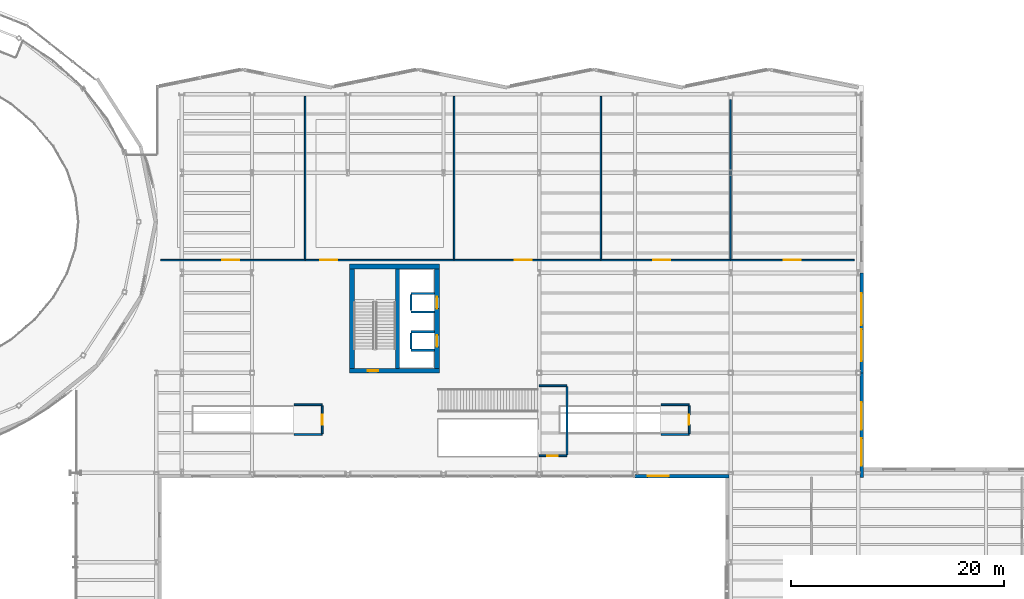
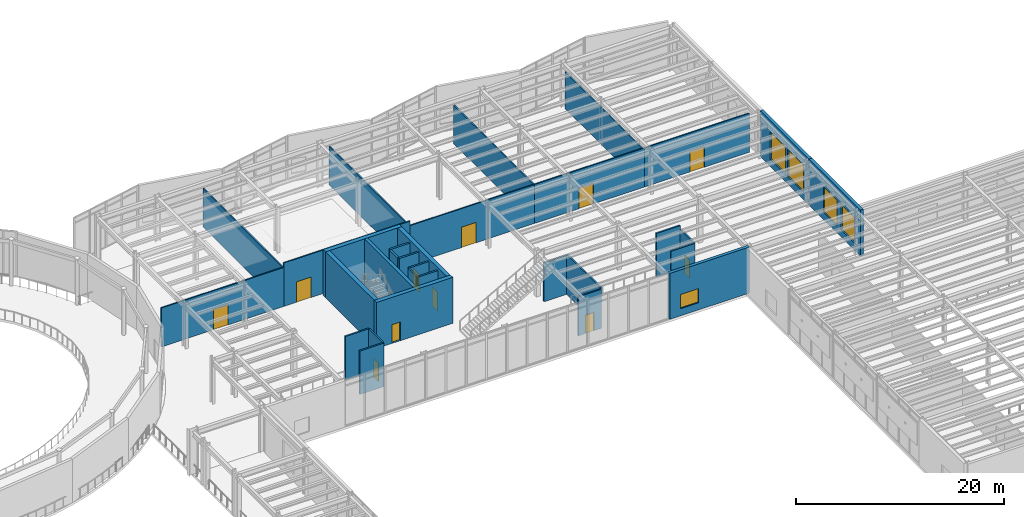
# One storey, part 79 of 98: 32 walls, 11 doors, 5 windows, 16 openings.
"""IFC4 building model written with IfcOpenShell, lengths in metres."""

import ifcopenshell
import ifcopenshell.guid

model = None  # the IFC model being written
_history = None  # IfcOwnerHistory: only IFC2X3 demands one
_inside = {}  # id of a spatial element -> (the spatial element, [elements in it])
_under = {}  # id of a project, library or spatial element -> (it, [spatial elements below it])
_declared = {}  # id of a project -> (the project, [libraries it declares])
_typed = {}  # id of a type object -> (the type object, [elements of that type])
_made_of = {}  # id of a material, layer set ... -> (it, [elements and type objects made of it])


def new_model(schema):
    """Start an empty IFC model of exactly this schema.

    Asked for "IFC4X3", IfcOpenShell would pick the latest addendum, in which some entities
    have other attributes; the version numbers below select the first issue.
    IFC2X3 requires an IfcOwnerHistory on every rooted entity: one is made here for all.
    """
    global model, _history
    if schema == "IFC4X3":
        model = ifcopenshell.file(schema_version=(4, 3, 0, 0))
    else:
        model = ifcopenshell.file(schema=schema)
    _inside.clear()
    _under.clear()
    _declared.clear()
    _typed.clear()
    _made_of.clear()
    _history = None
    if model.schema == "IFC2X3":
        org = make("IfcOrganization", Name="unknown")
        user = make(
            "IfcPersonAndOrganization",
            ThePerson=make("IfcPerson", FamilyName="unknown"),
            TheOrganization=org,
        )
        app = make(
            "IfcApplication",
            ApplicationDeveloper=org,
            Version="unknown",
            ApplicationFullName="unknown",
            ApplicationIdentifier="unknown",
        )
        _history = make(
            "IfcOwnerHistory",
            OwningUser=user,
            OwningApplication=app,
            ChangeAction="ADDED",
            CreationDate=0,
        )
    return model


def make(cls, **values):
    """One entity of the class cls with the attributes given. An attribute that is None is left unset."""
    return model.create_entity(
        cls, **{name: value for name, value in values.items() if value is not None}
    )


def rooted(cls, **values):
    """An entity with a GlobalId (a new one), such as an element, a storey or a relation."""
    return make(cls, GlobalId=ifcopenshell.guid.new(), OwnerHistory=_history, **values)


def si_unit(unit_type, name, prefix=None):
    """IfcSIUnit, for example si_unit("LENGTHUNIT", "METRE", prefix="MILLI")."""
    return make("IfcSIUnit", UnitType=unit_type, Prefix=prefix, Name=name)


def assignment(units):
    """IfcUnitAssignment: the units of a project."""
    return None if units is None else make("IfcUnitAssignment", Units=units)


def point(xyz):
    """IfcCartesianPoint."""
    return None if xyz is None else make("IfcCartesianPoint", Coordinates=xyz)


def direction(xyz):
    """IfcDirection."""
    return None if xyz is None else make("IfcDirection", DirectionRatios=xyz)


def frame(location, z_axis=None, x_axis=None):
    """IfcAxis2Placement3D, a coordinate frame: its origin and axes. An axis left out is left unset."""
    return make(
        "IfcAxis2Placement3D",
        Location=point(location),
        Axis=direction(z_axis),
        RefDirection=direction(x_axis),
    )


def frame_2d(location, x_axis=None):
    """IfcAxis2Placement2D, a coordinate frame in the plane: its origin and x axis."""
    return make(
        "IfcAxis2Placement2D", Location=point(location), RefDirection=direction(x_axis)
    )


def origin():
    """The frame at (0, 0, 0) with its axes left unset."""
    return frame((0.0, 0.0, 0.0))


def place(relative_to, where):
    """IfcLocalPlacement: puts the frame where relative to a parent placement (None: the world)."""
    return make(
        "IfcLocalPlacement", PlacementRelTo=relative_to, RelativePlacement=where
    )


def context(
    kind, dimensions, precision=None, world=None, true_north=None, identifier=None
):
    """IfcGeometricRepresentationContext, for example the 3D "Model" context."""
    return make(
        "IfcGeometricRepresentationContext",
        ContextIdentifier=identifier,
        ContextType=kind,
        CoordinateSpaceDimension=dimensions,
        Precision=precision,
        WorldCoordinateSystem=world,
        TrueNorth=true_north,
    )


def subcontext(parent, identifier, kind, view, scale=None):
    """IfcGeometricRepresentationSubContext, for example "Body" below "Model"."""
    return make(
        "IfcGeometricRepresentationSubContext",
        ContextIdentifier=identifier,
        ContextType=kind,
        ParentContext=parent,
        TargetScale=scale,
        TargetView=view,
    )


def project(units=None, contexts=None):
    """IfcProject with its units and contexts."""
    return rooted(
        "IfcProject",
        Name="project",
        RepresentationContexts=contexts,
        UnitsInContext=assignment(units),
    )


def spatial(cls, under=None, at=None, **own):
    """A site, building, storey or space (cls), placed at a placement, below another one or the project."""
    s = rooted(cls, ObjectPlacement=at, **own)
    if under is not None:
        _under.setdefault(under.id(), (under, []))[1].append(s)
    return s


def profile(cls, at=None, kind="AREA", **sizes):
    """A parametric profile (cls). Its sizes go by their IFC names, for example OverallWidth=200.0."""
    return make(cls, ProfileType=kind, Position=at, **sizes)


def rectangle(**sizes):
    """IfcRectangleProfileDef."""
    return profile("IfcRectangleProfileDef", **sizes)


def extrude(swept, where, along, depth):
    """IfcExtrudedAreaSolid: the profile swept, set in the frame where, extruded along a direction by depth."""
    return make(
        "IfcExtrudedAreaSolid",
        SweptArea=swept,
        Position=where,
        ExtrudedDirection=direction(along),
        Depth=depth,
    )


def shape(context_of_items, identifier, shape_type, items):
    """IfcShapeRepresentation: the items that make up one representation, for example the "Body"."""
    return make(
        "IfcShapeRepresentation",
        ContextOfItems=context_of_items,
        RepresentationIdentifier=identifier,
        RepresentationType=shape_type,
        Items=items,
    )


def material(Name=None, Category=None):
    """IfcMaterial."""
    return make("IfcMaterial", Name=Name, Category=Category)


def layer(
    of_material, thickness, ventilated=None, Name=None, Category=None, Priority=None
):
    """IfcMaterialLayer: one layer of a wall or slab, of a material (None: an air gap)."""
    return make(
        "IfcMaterialLayer",
        Material=of_material,
        LayerThickness=thickness,
        IsVentilated=ventilated,
        Name=Name,
        Category=Category,
        Priority=Priority,
    )


def layer_set(layers, Name=None):
    """IfcMaterialLayerSet."""
    return make("IfcMaterialLayerSet", MaterialLayers=layers, LayerSetName=Name)


def made_of(thing, what):
    """Note that an element or type object is made of a material, layer set ...; save() writes the relation."""
    if what is not None:
        _made_of.setdefault(what.id(), (what, []))[1].append(thing)
    return thing


def type_object(cls, material=None, **own):
    """A type object (cls), such as IfcWallType, which elements share."""
    return made_of(rooted(cls, **own), material)


def element(
    cls,
    number,
    at=None,
    inside=None,
    cuts=None,
    type_object=None,
    material=None,
    context=None,
    identifier="Body",
    shape_type=None,
    held_by="IfcProductDefinitionShape",
    body=None,
    shapes=None,
    **own,
):
    """One element of the class cls, such as IfcWall. Its Tag is "e" and its number.

    at: its placement. inside: the storey or other place that contains it. cuts: it is an
    opening in that element (IfcRelVoidsElement). A single representation is given by context,
    identifier, shape_type and body (its items); several are given by shapes. held_by: the class
    of the entity that holds the representations. save() writes the other relations.
    """
    e = rooted(cls, Tag="e%d" % number, ObjectPlacement=at, **own)
    if body is not None:
        shapes = [shape(context, identifier, shape_type, body)]
    if shapes is not None:
        e.Representation = make(held_by, Representations=shapes)
    if inside is not None:
        _inside.setdefault(inside.id(), (inside, []))[1].append(e)
    if cuts is not None:
        rooted(
            "IfcRelVoidsElement", RelatingBuildingElement=cuts, RelatedOpeningElement=e
        )
    if type_object is not None:
        _typed.setdefault(type_object.id(), (type_object, []))[1].append(e)
    return made_of(e, material)


def fill(opening, filler):
    """IfcRelFillsElement: the door or window that sits in an opening."""
    return rooted(
        "IfcRelFillsElement",
        RelatingOpeningElement=opening,
        RelatedBuildingElement=filler,
    )


def aggregate(whole, parts):
    """IfcRelAggregates: a whole, such as a stair, and the parts it consists of."""
    return rooted("IfcRelAggregates", RelatingObject=whole, RelatedObjects=parts)


def save(model, path):
    """Write the relations noted so far, then the file.

    IfcRelAggregates (storeys below a building ...), IfcRelContainedInSpatialStructure (elements
    in a storey), IfcRelDefinesByType, IfcRelAssociatesMaterial and IfcRelDeclares: one each for
    every whole, place, type object, material and project.
    """
    for whole, parts in _under.values():
        aggregate(whole, parts)
    for where, things in _inside.values():
        rooted(
            "IfcRelContainedInSpatialStructure",
            RelatedElements=things,
            RelatingStructure=where,
        )
    for kind, things in _typed.values():
        rooted("IfcRelDefinesByType", RelatedObjects=things, RelatingType=kind)
    for what, things in _made_of.values():
        rooted("IfcRelAssociatesMaterial", RelatedObjects=things, RelatingMaterial=what)
    for by, libraries in _declared.values():
        rooted("IfcRelDeclares", RelatingContext=by, RelatedDefinitions=libraries)
    model.write(path)


model = new_model("IFC4")

# Units and contexts
model_context = context("Model", 3, precision=1e-05, world=origin(), true_north=direction((0.0, 1.0)))
body_context = subcontext(model_context, "Body", "Model", "MODEL_VIEW")
ifc_project = project(units=[si_unit("LENGTHUNIT", "METRE"), si_unit("AREAUNIT", "SQUARE_METRE"), si_unit("VOLUMEUNIT", "CUBIC_METRE"), si_unit("PLANEANGLEUNIT", "RADIAN"), si_unit("MASSUNIT", "GRAM", prefix="KILO")], contexts=[model_context])

# Site, building, storey
site_placement = place(None, origin())
site = spatial("IfcSite", under=ifc_project, at=site_placement, CompositionType="ELEMENT")
building_placement = place(site_placement, origin())
building = spatial("IfcBuilding", under=site, at=building_placement, Name="Sollismere Congress Hotel", CompositionType="ELEMENT")
storey_placement = place(building_placement, frame((0.0, 0.0, 5.39990234375)))
storey = spatial("IfcBuildingStorey", under=building, at=storey_placement, Name="L01", CompositionType="ELEMENT", Elevation=5.39990234375)

# Wall, openings, windows
ifc_material_1 = material(Name="Colorado Buff Sandstone and Limestone Backup C40/50", Category="masonry")
ifc_layer_1 = layer(ifc_material_1, 0.340087890625, Name="Colorado Buff Sandstone and Limestone Backup C40/50")
ifc_layer_set_1 = layer_set([ifc_layer_1], Name="Colorado Buff Sandstone and Limestone Backup C40/50")
wall_type_1 = type_object("IfcWallType", Name="WL-EXT340", PredefinedType="STANDARD", material=ifc_layer_set_1)
wall_1_placement = place(storey_placement, frame((124.31005859375, 66.35009765625, 0.0), z_axis=(0.0, 0.0, 1.0), x_axis=(0.0, 1.0, 0.0)))
wall_1 = element("IfcWall", 1, at=wall_1_placement, inside=storey, type_object=wall_type_1, Name="Exterior wall EW-L01-035", PredefinedType="STANDARD", context=body_context, shape_type="SweptSolid", body=[
    extrude(rectangle(XDim=9.849853515625, YDim=0.340087890625, at=frame_2d((4.9248046875, 0.0))), origin(), (0.0, 0.0, 1.0), 5.400146484375),
])
opening_1_placement = place(wall_1_placement, frame((1.10009765625, 0.0, 0.85009765625)))
opening_1 = element("IfcOpeningElement", 2, at=opening_1_placement, cuts=wall_1, Name="Opening W-L01-021", PredefinedType="OPENING", context=body_context, shape_type="SweptSolid", body=[
    extrude(rectangle(XDim=2.60009765625, YDim=3.0, at=frame_2d((1.300048828125, 1.5))), frame((0.0, 0.179931640625, 0.0), z_axis=(0.0, -1.0, 0.0), x_axis=(1.0, 0.0, 0.0)), (0.0, 0.0, 1.0), 0.360107421875),
])
opening_2_placement = place(wall_1_placement, frame((4.5, 0.0, 0.85009765625)))
opening_2 = element("IfcOpeningElement", 3, at=opening_2_placement, cuts=wall_1, Name="Opening W-L01-022", PredefinedType="OPENING", context=body_context, shape_type="SweptSolid", body=[
    extrude(rectangle(XDim=2.60009765625, YDim=3.0, at=frame_2d((1.300048828125, 1.5))), frame((0.0, 0.179931640625, 0.0), z_axis=(0.0, -1.0, 0.0), x_axis=(1.0, 0.0, 0.0)), (0.0, 0.0, 1.0), 0.360107421875),
])
ifc_material_2 = material(Name="Thermally Broken Bronze Aluminum & Low-E Glass", Category="aluminium")
window_type_1 = type_object("IfcWindowType", Name="WN-A260x300", PartitioningType="SINGLE_PANEL", PredefinedType="WINDOW", material=ifc_material_2)
window_1_placement = place(opening_1_placement, origin())
window_1 = element("IfcWindow", 4, at=window_1_placement, inside=storey, type_object=window_type_1, Name="WIN-W-L01-021", OverallHeight=3.0, OverallWidth=2.60009765625, PartitioningType="SINGLE_PANEL", PredefinedType="WINDOW", context=body_context, shape_type="SweptSolid", body=[
    extrude(rectangle(XDim=2.60009765625, YDim=3.0, at=frame_2d((1.300048828125, 1.5))), frame((0.0, 0.030029296875, 0.0), z_axis=(0.0, -1.0, 0.0), x_axis=(1.0, 0.0, 0.0)), (0.0, 0.0, 1.0), 0.06005859375),
])
fill(opening_1, window_1)
window_2_placement = place(opening_2_placement, origin())
window_2 = element("IfcWindow", 5, at=window_2_placement, inside=storey, type_object=window_type_1, Name="WIN-W-L01-022", OverallHeight=3.0, OverallWidth=2.60009765625, PartitioningType="SINGLE_PANEL", PredefinedType="WINDOW", context=body_context, shape_type="SweptSolid", body=[
    extrude(rectangle(XDim=2.60009765625, YDim=3.0, at=frame_2d((1.300048828125, 1.5))), frame((0.0, 0.030029296875, 0.0), z_axis=(0.0, -1.0, 0.0), x_axis=(1.0, 0.0, 0.0)), (0.0, 0.0, 1.0), 0.06005859375),
])
fill(opening_2, window_2)

wall_2_placement = place(storey_placement, frame((124.31005859375, 76.199951171875, 0.0), z_axis=(0.0, 0.0, 1.0), x_axis=(0.0, 1.0, 0.0)))
wall_2 = element("IfcWall", 6, at=wall_2_placement, inside=storey, type_object=wall_type_1, Name="Exterior wall EW-L01-036", PredefinedType="STANDARD", context=body_context, shape_type="SweptSolid", body=[
    extrude(rectangle(XDim=9.400146484375, YDim=0.340087890625, at=frame_2d((4.7001953125, 0.0))), origin(), (0.0, 0.0, 1.0), 5.400146484375),
])
opening_3_placement = place(wall_2_placement, frame((1.10009765625, 0.0, 0.85009765625)))
opening_3 = element("IfcOpeningElement", 7, at=opening_3_placement, cuts=wall_2, Name="Opening W-L01-023", PredefinedType="OPENING", context=body_context, shape_type="SweptSolid", body=[
    extrude(rectangle(XDim=3.0, YDim=3.199951171875, at=frame_2d((1.5, 1.60009765625))), frame((0.0, 0.179931640625, 0.0), z_axis=(0.0, -1.0, 0.0), x_axis=(1.0, 0.0, 0.0)), (0.0, 0.0, 1.0), 0.360107421875),
])
opening_4_placement = place(wall_2_placement, frame((4.5, 0.0, 0.85009765625)))
opening_4 = element("IfcOpeningElement", 8, at=opening_4_placement, cuts=wall_2, Name="Opening W-L01-024", PredefinedType="OPENING", context=body_context, shape_type="SweptSolid", body=[
    extrude(rectangle(XDim=3.0, YDim=3.199951171875, at=frame_2d((1.5, 1.60009765625))), frame((0.0, 0.179931640625, 0.0), z_axis=(0.0, -1.0, 0.0), x_axis=(1.0, 0.0, 0.0)), (0.0, 0.0, 1.0), 0.360107421875),
])
window_type_2 = type_object("IfcWindowType", Name="WN-A300x320", PartitioningType="SINGLE_PANEL", PredefinedType="WINDOW", material=ifc_material_2)
window_3_placement = place(opening_3_placement, origin())
window_3 = element("IfcWindow", 9, at=window_3_placement, inside=storey, type_object=window_type_2, Name="WIN-W-L01-023", OverallHeight=3.199951171875, OverallWidth=3.0, PartitioningType="SINGLE_PANEL", PredefinedType="WINDOW", context=body_context, shape_type="SweptSolid", body=[
    extrude(rectangle(XDim=3.0, YDim=3.199951171875, at=frame_2d((1.5, 1.60009765625))), frame((0.0, 0.030029296875, 0.0), z_axis=(0.0, -1.0, 0.0), x_axis=(1.0, 0.0, 0.0)), (0.0, 0.0, 1.0), 0.06005859375),
])
fill(opening_3, window_3)
window_4_placement = place(opening_4_placement, origin())
window_4 = element("IfcWindow", 10, at=window_4_placement, inside=storey, type_object=window_type_2, Name="WIN-W-L01-024", OverallHeight=3.199951171875, OverallWidth=3.0, PartitioningType="SINGLE_PANEL", PredefinedType="WINDOW", context=body_context, shape_type="SweptSolid", body=[
    extrude(rectangle(XDim=3.0, YDim=3.199951171875, at=frame_2d((1.5, 1.60009765625))), frame((0.0, 0.030029296875, 0.0), z_axis=(0.0, -1.0, 0.0), x_axis=(1.0, 0.0, 0.0)), (0.0, 0.0, 1.0), 0.06005859375),
])
fill(opening_4, window_4)

# Wall, opening, window
wall_3_placement = place(storey_placement, frame((103.0, 66.489990234375, 0.0), z_axis=(0.0, 0.0, 1.0), x_axis=(1.0, 0.0, 0.0)))
wall_3 = element("IfcWall", 11, at=wall_3_placement, inside=storey, type_object=wall_type_1, Name="Exterior wall EW-L01-040", PredefinedType="STANDARD", context=body_context, shape_type="SweptSolid", body=[
    extrude(rectangle(XDim=8.85009765625, YDim=0.340087890625, at=frame_2d((4.425048828125, 0.0))), origin(), (0.0, 0.0, 1.0), 5.400146484375),
])
opening_5_placement = place(wall_3_placement, frame((1.199951171875, 0.0, 0.85009765625)))
opening_5 = element("IfcOpeningElement", 12, at=opening_5_placement, cuts=wall_3, Name="Opening W-L01-030", PredefinedType="OPENING", context=body_context, shape_type="SweptSolid", body=[
    extrude(rectangle(XDim=2.0, YDim=1.64990234375, at=frame_2d((1.0, 0.824951171875))), frame((0.0, 0.179931640625, 0.0), z_axis=(0.0, -1.0, 0.0), x_axis=(1.0, 0.0, 0.0)), (0.0, 0.0, 1.0), 0.360107421875),
])
window_type_3 = type_object("IfcWindowType", Name="WN-P200x165", PartitioningType="SINGLE_PANEL", PredefinedType="WINDOW", material=ifc_material_2)
window_5_placement = place(opening_5_placement, origin())
window_5 = element("IfcWindow", 13, at=window_5_placement, inside=storey, type_object=window_type_3, Name="WIN-W-L01-030", OverallHeight=1.64990234375, OverallWidth=2.0, PartitioningType="SINGLE_PANEL", PredefinedType="WINDOW", context=body_context, shape_type="SweptSolid", body=[
    extrude(rectangle(XDim=2.0, YDim=1.64990234375, at=frame_2d((1.0, 0.824951171875))), frame((0.0, 0.030029296875, 0.0), z_axis=(0.0, -1.0, 0.0), x_axis=(1.0, 0.0, 0.0)), (0.0, 0.0, 1.0), 0.06005859375),
])
fill(opening_5, window_5)

# Walls
ifc_material_3 = material(Name="Moisture-Resistant Shaft Gypsum Assembly")
ifc_layer_2 = layer(ifc_material_3, 0.199951171875, Name="Moisture-Resistant Shaft Gypsum Assembly")
ifc_layer_set_2 = layer_set([ifc_layer_2], Name="Moisture-Resistant Shaft Gypsum Assembly")
wall_type_2 = type_object("IfcWallType", Name="WL-PLM200", PredefinedType="PLUMBINGWALL", material=ifc_layer_set_2)
for number, where, z_axis, x_axis, name in (
    (14, (81.955078125, 78.330078125, 0.0), (0.0, 0.0, 1.0), (1.0, 0.0, 0.0), "Interior wall IW-L01-0587"),
    (15, (81.955078125, 80.070068359375, 0.0), (0.0, 0.0, 1.0), (1.0, 0.0, 0.0), "Interior wall IW-L01-0588"),
):
    element("IfcWall", number, at=place(storey_placement, frame(where, z_axis=z_axis, x_axis=x_axis)), inside=storey, type_object=wall_type_2, Name=name, PredefinedType="PLUMBINGWALL", context=body_context, shape_type="SweptSolid", body=[
        extrude(rectangle(XDim=2.2080078125, YDim=0.199951171875, at=frame_2d((1.10400390625, 0.0))), origin(), (0.0, 0.0, 1.0), 5.09521484375),
    ])
wall_4_placement = place(storey_placement, frame((81.955078125, 78.44189453125, 0.0), z_axis=(0.0, 0.0, 1.0), x_axis=(0.0, 1.0, 0.0)))
element("IfcWall", 16, at=wall_4_placement, inside=storey, type_object=wall_type_2, Name="Interior wall IW-L01-0589", PredefinedType="PLUMBINGWALL", context=body_context, shape_type="SweptSolid", body=[
    extrude(rectangle(XDim=1.51611328125, YDim=0.199951171875, at=frame_2d((0.758056640625, 0.0))), origin(), (0.0, 0.0, 1.0), 5.09521484375),
])
for number, where, z_axis, x_axis, name in (
    (17, (81.955078125, 81.929931640625, 0.0), (0.0, 0.0, 1.0), (1.0, 0.0, 0.0), "Interior wall IW-L01-0590"),
    (18, (81.955078125, 83.669921875, 0.0), (0.0, 0.0, 1.0), (1.0, 0.0, 0.0), "Interior wall IW-L01-0591"),
):
    element("IfcWall", number, at=place(storey_placement, frame(where, z_axis=z_axis, x_axis=x_axis)), inside=storey, type_object=wall_type_2, Name=name, PredefinedType="PLUMBINGWALL", context=body_context, shape_type="SweptSolid", body=[
        extrude(rectangle(XDim=2.2080078125, YDim=0.199951171875, at=frame_2d((1.10400390625, 0.0))), origin(), (0.0, 0.0, 1.0), 5.09521484375),
    ])
wall_5_placement = place(storey_placement, frame((81.955078125, 82.0419921875, 0.0), z_axis=(0.0, 0.0, 1.0), x_axis=(0.0, 1.0, 0.0)))
element("IfcWall", 19, at=wall_5_placement, inside=storey, type_object=wall_type_2, Name="Interior wall IW-L01-0592", PredefinedType="PLUMBINGWALL", context=body_context, shape_type="SweptSolid", body=[
    extrude(rectangle(XDim=1.51611328125, YDim=0.199951171875, at=frame_2d((0.758056640625, 0.0))), origin(), (0.0, 0.0, 1.0), 5.09521484375),
])

# Wall, opening, door
ifc_material_4 = material(Name="Fire-Rated Gypsum Partition")
ifc_layer_3 = layer(ifc_material_4, 0.139892578125, Name="Fire-Rated Gypsum Partition")
ifc_layer_set_3 = layer_set([ifc_layer_3], Name="Fire-Rated Gypsum Partition")
wall_type_3 = type_object("IfcWallType", Name="WL-PRT140R", PredefinedType="PARTITIONING", material=ifc_layer_set_3)
wall_6_placement = place(storey_placement, frame((58.39990234375, 86.800048828125, 0.0), z_axis=(0.0, 0.0, 1.0), x_axis=(1.0, 0.0, 0.0)))
wall_6 = element("IfcWall", 20, at=wall_6_placement, inside=storey, type_object=wall_type_3, Name="Interior wall IW-L01-0877", PredefinedType="PARTITIONING", context=body_context, shape_type="SweptSolid", body=[
    extrude(rectangle(XDim=13.60009765625, YDim=0.139892578125, at=frame_2d((6.800048828125, 0.0))), origin(), (0.0, 0.0, 1.0), 4.569091796875),
])
opening_6_placement = place(wall_6_placement, frame((5.800048828125, 0.0, 0.0)))
opening_6 = element("IfcOpeningElement", 21, at=opening_6_placement, cuts=wall_6, Name="Opening D-L01-0301", PredefinedType="OPENING", context=body_context, shape_type="SweptSolid", body=[
    extrude(rectangle(XDim=1.60009765625, YDim=2.39990234375, at=frame_2d((0.800048828125, 1.199951171875))), frame((0.0, 0.079833984375, 0.0), z_axis=(0.0, -1.0, 0.0), x_axis=(1.0, 0.0, 0.0)), (0.0, 0.0, 1.0), 0.159912109375),
])
ifc_material_5 = material(Name="Acoustic Oak Double Meeting Door")
door_type_1 = type_object("IfcDoorType", Name="DR-MT160", OperationType="NOTDEFINED", PredefinedType="DOOR", material=ifc_material_5)
door_1_placement = place(opening_6_placement, origin())
door_1 = element("IfcDoor", 22, at=door_1_placement, inside=storey, type_object=door_type_1, Name="Interior door D-L01-0301", OperationType="DOUBLE_DOOR_SINGLE_SWING", OverallHeight=2.39990234375, OverallWidth=1.60009765625, PredefinedType="DOOR", context=body_context, shape_type="SweptSolid", body=[
    extrude(rectangle(XDim=1.60009765625, YDim=2.39990234375, at=frame_2d((0.800048828125, 1.199951171875))), frame((0.0, 0.02490234375, 0.0), z_axis=(0.0, -1.0, 0.0), x_axis=(1.0, 0.0, 0.0)), (0.0, 0.0, 1.0), 0.050048828125),
])
fill(opening_6, door_1)

wall_7_placement = place(storey_placement, frame((72.0, 86.800048828125, 0.0), z_axis=(0.0, 0.0, 1.0), x_axis=(1.0, 0.0, 0.0)))
wall_7 = element("IfcWall", 23, at=wall_7_placement, inside=storey, type_object=wall_type_3, Name="Interior wall IW-L01-0878", PredefinedType="PARTITIONING", context=body_context, shape_type="SweptSolid", body=[
    extrude(rectangle(XDim=14.0, YDim=0.139892578125, at=frame_2d((7.0, 0.0))), origin(), (0.0, 0.0, 1.0), 5.09521484375),
])
opening_7_placement = place(wall_7_placement, frame((1.39990234375, 0.0, 0.0)))
opening_7 = element("IfcOpeningElement", 24, at=opening_7_placement, cuts=wall_7, Name="Opening D-L01-0302", PredefinedType="OPENING", context=body_context, shape_type="SweptSolid", body=[
    extrude(rectangle(XDim=1.60009765625, YDim=2.39990234375, at=frame_2d((0.800048828125, 1.199951171875))), frame((0.0, 0.079833984375, 0.0), z_axis=(0.0, -1.0, 0.0), x_axis=(1.0, 0.0, 0.0)), (0.0, 0.0, 1.0), 0.159912109375),
])
door_2_placement = place(opening_7_placement, origin())
door_2 = element("IfcDoor", 25, at=door_2_placement, inside=storey, type_object=door_type_1, Name="Interior door D-L01-0302", OperationType="DOUBLE_DOOR_SINGLE_SWING", OverallHeight=2.39990234375, OverallWidth=1.60009765625, PredefinedType="DOOR", context=body_context, shape_type="SweptSolid", body=[
    extrude(rectangle(XDim=1.60009765625, YDim=2.39990234375, at=frame_2d((0.800048828125, 1.199951171875))), frame((0.0, 0.02490234375, 0.0), z_axis=(0.0, -1.0, 0.0), x_axis=(1.0, 0.0, 0.0)), (0.0, 0.0, 1.0), 0.050048828125),
])
fill(opening_7, door_2)

wall_8_placement = place(storey_placement, frame((86.0, 86.800048828125, 0.0), z_axis=(0.0, 0.0, 1.0), x_axis=(1.0, 0.0, 0.0)))
wall_8 = element("IfcWall", 26, at=wall_8_placement, inside=storey, type_object=wall_type_3, Name="Interior wall IW-L01-0879", PredefinedType="PARTITIONING", context=body_context, shape_type="SweptSolid", body=[
    extrude(rectangle(XDim=13.800048828125, YDim=0.139892578125, at=frame_2d((6.89990234375, 0.0))), origin(), (0.0, 0.0, 1.0), 4.569091796875),
])
opening_8_placement = place(wall_8_placement, frame((5.699951171875, 0.0, 0.0)))
opening_8 = element("IfcOpeningElement", 27, at=opening_8_placement, cuts=wall_8, Name="Opening D-L01-0303", PredefinedType="OPENING", context=body_context, shape_type="SweptSolid", body=[
    extrude(rectangle(XDim=1.60009765625, YDim=2.39990234375, at=frame_2d((0.800048828125, 1.199951171875))), frame((0.0, 0.079833984375, 0.0), z_axis=(0.0, -1.0, 0.0), x_axis=(1.0, 0.0, 0.0)), (0.0, 0.0, 1.0), 0.159912109375),
])
door_3_placement = place(opening_8_placement, origin())
door_3 = element("IfcDoor", 28, at=door_3_placement, inside=storey, type_object=door_type_1, Name="Interior door D-L01-0303", OperationType="DOUBLE_DOOR_SINGLE_SWING", OverallHeight=2.39990234375, OverallWidth=1.60009765625, PredefinedType="DOOR", context=body_context, shape_type="SweptSolid", body=[
    extrude(rectangle(XDim=1.60009765625, YDim=2.39990234375, at=frame_2d((0.800048828125, 1.199951171875))), frame((0.0, 0.02490234375, 0.0), z_axis=(0.0, -1.0, 0.0), x_axis=(1.0, 0.0, 0.0)), (0.0, 0.0, 1.0), 0.050048828125),
])
fill(opening_8, door_3)

wall_9_placement = place(storey_placement, frame((99.800048828125, 86.800048828125, 0.0), z_axis=(0.0, 0.0, 1.0), x_axis=(1.0, 0.0, 0.0)))
wall_9 = element("IfcWall", 29, at=wall_9_placement, inside=storey, type_object=wall_type_3, Name="Interior wall IW-L01-0880", PredefinedType="PARTITIONING", context=body_context, shape_type="SweptSolid", body=[
    extrude(rectangle(XDim=12.199951171875, YDim=0.139892578125, at=frame_2d((6.10009765625, 0.0))), origin(), (0.0, 0.0, 1.0), 4.569091796875),
])
opening_9_placement = place(wall_9_placement, frame((4.89990234375, 0.0, 0.0)))
opening_9 = element("IfcOpeningElement", 30, at=opening_9_placement, cuts=wall_9, Name="Opening D-L01-0304", PredefinedType="OPENING", context=body_context, shape_type="SweptSolid", body=[
    extrude(rectangle(XDim=1.60009765625, YDim=2.39990234375, at=frame_2d((0.800048828125, 1.199951171875))), frame((0.0, 0.079833984375, 0.0), z_axis=(0.0, -1.0, 0.0), x_axis=(1.0, 0.0, 0.0)), (0.0, 0.0, 1.0), 0.159912109375),
])
door_4_placement = place(opening_9_placement, origin())
door_4 = element("IfcDoor", 31, at=door_4_placement, inside=storey, type_object=door_type_1, Name="Interior door D-L01-0304", OperationType="DOUBLE_DOOR_SINGLE_SWING", OverallHeight=2.39990234375, OverallWidth=1.60009765625, PredefinedType="DOOR", context=body_context, shape_type="SweptSolid", body=[
    extrude(rectangle(XDim=1.60009765625, YDim=2.39990234375, at=frame_2d((0.800048828125, 1.199951171875))), frame((0.0, 0.02490234375, 0.0), z_axis=(0.0, -1.0, 0.0), x_axis=(1.0, 0.0, 0.0)), (0.0, 0.0, 1.0), 0.050048828125),
])
fill(opening_9, door_4)

wall_10_placement = place(storey_placement, frame((112.0, 86.800048828125, 0.0), z_axis=(0.0, 0.0, 1.0), x_axis=(1.0, 0.0, 0.0)))
wall_10 = element("IfcWall", 32, at=wall_10_placement, inside=storey, type_object=wall_type_3, Name="Interior wall IW-L01-0881", PredefinedType="PARTITIONING", context=body_context, shape_type="SweptSolid", body=[
    extrude(rectangle(XDim=11.60009765625, YDim=0.139892578125, at=frame_2d((5.800048828125, 0.0))), origin(), (0.0, 0.0, 1.0), 4.569091796875),
])
opening_10_placement = place(wall_10_placement, frame((5.0, 0.0, 0.0)))
opening_10 = element("IfcOpeningElement", 33, at=opening_10_placement, cuts=wall_10, Name="Opening D-L01-0305", PredefinedType="OPENING", context=body_context, shape_type="SweptSolid", body=[
    extrude(rectangle(XDim=1.60009765625, YDim=2.39990234375, at=frame_2d((0.800048828125, 1.199951171875))), frame((0.0, 0.079833984375, 0.0), z_axis=(0.0, -1.0, 0.0), x_axis=(1.0, 0.0, 0.0)), (0.0, 0.0, 1.0), 0.159912109375),
])
door_5_placement = place(opening_10_placement, origin())
door_5 = element("IfcDoor", 34, at=door_5_placement, inside=storey, type_object=door_type_1, Name="Interior door D-L01-0305", OperationType="DOUBLE_DOOR_SINGLE_SWING", OverallHeight=2.39990234375, OverallWidth=1.60009765625, PredefinedType="DOOR", context=body_context, shape_type="SweptSolid", body=[
    extrude(rectangle(XDim=1.60009765625, YDim=2.39990234375, at=frame_2d((0.800048828125, 1.199951171875))), frame((0.0, 0.02490234375, 0.0), z_axis=(0.0, -1.0, 0.0), x_axis=(1.0, 0.0, 0.0)), (0.0, 0.0, 1.0), 0.050048828125),
])
fill(opening_10, door_5)

# Walls
for number, where, z_axis, x_axis, name in (
    (35, (72.0, 86.882080078125, 0.0), (0.0, 0.0, 1.0), (0.0, 1.0, 0.0), "Interior wall IW-L01-0910"),
    (36, (86.0, 86.882080078125, 0.0), (0.0, 0.0, 1.0), (0.0, 1.0, 0.0), "Interior wall IW-L01-0913"),
    (37, (99.800048828125, 86.882080078125, 0.0), (0.0, 0.0, 1.0), (0.0, 1.0, 0.0), "Interior wall IW-L01-0917"),
):
    element("IfcWall", number, at=place(storey_placement, frame(where, z_axis=z_axis, x_axis=x_axis)), inside=storey, type_object=wall_type_3, Name=name, PredefinedType="PARTITIONING", context=body_context, shape_type="SweptSolid", body=[
        extrude(rectangle(XDim=15.31787109375, YDim=0.139892578125, at=frame_2d((7.658935546875, 0.0))), origin(), (0.0, 0.0, 1.0), 4.508056640625),
    ])
wall_11_placement = place(storey_placement, frame((112.0, 86.882080078125, 0.0), z_axis=(0.0, 0.0, 1.0), x_axis=(0.0, 1.0, 0.0)))
element("IfcWall", 38, at=wall_11_placement, inside=storey, type_object=wall_type_3, Name="Interior wall IW-L01-0920", PredefinedType="PARTITIONING", context=body_context, shape_type="SweptSolid", body=[
    extrude(rectangle(XDim=15.017822265625, YDim=0.139892578125, at=frame_2d((7.5087890625, 0.0))), origin(), (0.0, 0.0, 1.0), 4.3330078125),
])

# Wall, opening, door
ifc_material_6 = material(Name="Fire-Rated Acoustic Gypsum Partition")
ifc_layer_4 = layer(ifc_material_6, 0.1650390625, Name="Fire-Rated Acoustic Gypsum Partition")
ifc_layer_set_4 = layer_set([ifc_layer_4], Name="Fire-Rated Acoustic Gypsum Partition")
wall_type_4 = type_object("IfcWallType", Name="WL-PRT165R", PredefinedType="PARTITIONING", material=ifc_layer_set_4)
wall_12_placement = place(storey_placement, frame((94.0, 68.39990234375, 0.0), z_axis=(0.0, 0.0, 1.0), x_axis=(1.0, 0.0, 0.0)))
wall_12 = element("IfcWall", 39, at=wall_12_placement, inside=storey, type_object=wall_type_4, Name="Interior wall IW-L01-0864", PredefinedType="PARTITIONING", context=body_context, shape_type="SweptSolid", body=[
    extrude(rectangle(XDim=2.60009765625, YDim=0.1650390625, at=frame_2d((1.300048828125, 0.0))), origin(), (0.0, 0.0, 1.0), 4.569091796875),
])
opening_11_placement = place(wall_12_placement, frame((0.77490234375, 0.0, 0.0)))
opening_11 = element("IfcOpeningElement", 40, at=opening_11_placement, cuts=wall_12, Name="Opening D-L01-0300", PredefinedType="OPENING", context=body_context, shape_type="SweptSolid", body=[
    extrude(rectangle(XDim=0.949951171875, YDim=2.14990234375, at=frame_2d((0.47509765625, 1.074951171875))), frame((0.0, 0.092529296875, 0.0), z_axis=(0.0, -1.0, 0.0), x_axis=(1.0, 0.0, 0.0)), (0.0, 0.0, 1.0), 0.18505859375),
])
ifc_material_7 = material(Name="Solid-Core Acoustic Walnut Guestroom Entry Door")
door_type_2 = type_object("IfcDoorType", Name="DR-KY02", OperationType="NOTDEFINED", PredefinedType="DOOR", material=ifc_material_7)
door_6_placement = place(opening_11_placement, origin())
door_6 = element("IfcDoor", 41, at=door_6_placement, inside=storey, type_object=door_type_2, Name="Interior door D-L01-0300", OperationType="SINGLE_SWING_RIGHT", OverallHeight=2.14990234375, OverallWidth=0.949951171875, PredefinedType="DOOR", context=body_context, shape_type="SweptSolid", body=[
    extrude(rectangle(XDim=0.949951171875, YDim=2.14990234375, at=frame_2d((0.47509765625, 1.074951171875))), frame((0.0, 0.02490234375, 0.0), z_axis=(0.0, -1.0, 0.0), x_axis=(1.0, 0.0, 0.0)), (0.0, 0.0, 1.0), 0.050048828125),
])
fill(opening_11, door_6)

# Walls
wall_13_placement = place(storey_placement, frame((70.949951171875, 70.39990234375, 0.0), z_axis=(0.0, 0.0, 1.0), x_axis=(1.0, 0.0, 0.0)))
element("IfcWall", 42, at=wall_13_placement, inside=storey, type_object=wall_type_4, Name="Interior wall IW-L01-0865", PredefinedType="PARTITIONING", context=body_context, shape_type="SweptSolid", body=[
    extrude(rectangle(XDim=2.650146484375, YDim=0.1650390625, at=frame_2d((1.3251953125, 0.0))), origin(), (0.0, 0.0, 1.0), 5.09521484375),
])
wall_14_placement = place(storey_placement, frame((105.449951171875, 70.39990234375, 0.0), z_axis=(0.0, 0.0, 1.0), x_axis=(1.0, 0.0, 0.0)))
element("IfcWall", 43, at=wall_14_placement, inside=storey, type_object=wall_type_4, Name="Interior wall IW-L01-0866", PredefinedType="PARTITIONING", context=body_context, shape_type="SweptSolid", body=[
    extrude(rectangle(XDim=2.650146484375, YDim=0.1650390625, at=frame_2d((1.3251953125, 0.0))), origin(), (0.0, 0.0, 1.0), 4.703125),
])
for number, where, z_axis, x_axis, name in (
    (44, (70.949951171875, 73.199951171875, 0.0), (0.0, 0.0, 1.0), (1.0, 0.0, 0.0), "Interior wall IW-L01-0867"),
    (45, (105.449951171875, 73.199951171875, 0.0), (0.0, 0.0, 1.0), (1.0, 0.0, 0.0), "Interior wall IW-L01-0868"),
):
    element("IfcWall", number, at=place(storey_placement, frame(where, z_axis=z_axis, x_axis=x_axis)), inside=storey, type_object=wall_type_4, Name=name, PredefinedType="PARTITIONING", context=body_context, shape_type="SweptSolid", body=[
        extrude(rectangle(XDim=2.650146484375, YDim=0.1650390625, at=frame_2d((1.3251953125, 0.0))), origin(), (0.0, 0.0, 1.0), 5.09521484375),
    ])
wall_15_placement = place(storey_placement, frame((94.0, 75.0, 0.0), z_axis=(0.0, 0.0, 1.0), x_axis=(1.0, 0.0, 0.0)))
element("IfcWall", 46, at=wall_15_placement, inside=storey, type_object=wall_type_4, Name="Interior wall IW-L01-0869", PredefinedType="PARTITIONING", context=body_context, shape_type="SweptSolid", body=[
    extrude(rectangle(XDim=2.60009765625, YDim=0.1650390625, at=frame_2d((1.300048828125, 0.0))), origin(), (0.0, 0.0, 1.0), 4.569091796875),
])

# Wall, opening, door
wall_16_placement = place(storey_placement, frame((73.60009765625, 70.494384765625, 0.0), z_axis=(0.0, 0.0, 1.0), x_axis=(0.0, 1.0, 0.0)))
wall_16 = element("IfcWall", 47, at=wall_16_placement, inside=storey, type_object=wall_type_4, Name="Interior wall IW-L01-0911", PredefinedType="PARTITIONING", context=body_context, shape_type="SweptSolid", body=[
    extrude(rectangle(XDim=2.611083984375, YDim=0.1650390625, at=frame_2d((1.3056640625, 0.0))), origin(), (0.0, 0.0, 1.0), 5.09521484375),
])
opening_12_placement = place(wall_16_placement, frame((0.830078125, 0.0, 0.0)))
opening_12 = element("IfcOpeningElement", 48, at=opening_12_placement, cuts=wall_16, Name="Opening D-L01-0315", PredefinedType="OPENING", context=body_context, shape_type="SweptSolid", body=[
    extrude(rectangle(XDim=0.949951171875, YDim=2.14990234375, at=frame_2d((0.47509765625, 1.074951171875))), frame((0.0, 0.092529296875, 0.0), z_axis=(0.0, -1.0, 0.0), x_axis=(1.0, 0.0, 0.0)), (0.0, 0.0, 1.0), 0.18505859375),
])
door_7_placement = place(opening_12_placement, origin())
door_7 = element("IfcDoor", 49, at=door_7_placement, inside=storey, type_object=door_type_2, Name="Interior door D-L01-0315", OperationType="SINGLE_SWING_RIGHT", OverallHeight=2.14990234375, OverallWidth=0.949951171875, PredefinedType="DOOR", context=body_context, shape_type="SweptSolid", body=[
    extrude(rectangle(XDim=0.949951171875, YDim=2.14990234375, at=frame_2d((0.47509765625, 1.074951171875))), frame((0.0, 0.02490234375, 0.0), z_axis=(0.0, -1.0, 0.0), x_axis=(1.0, 0.0, 0.0)), (0.0, 0.0, 1.0), 0.050048828125),
])
fill(opening_12, door_7)

# Wall
wall_17_placement = place(storey_placement, frame((96.60009765625, 68.494384765625, 0.0), z_axis=(0.0, 0.0, 1.0), x_axis=(0.0, 1.0, 0.0)))
element("IfcWall", 50, at=wall_17_placement, inside=storey, type_object=wall_type_4, Name="Interior wall IW-L01-0916", PredefinedType="PARTITIONING", context=body_context, shape_type="SweptSolid", body=[
    extrude(rectangle(XDim=6.4111328125, YDim=0.1650390625, at=frame_2d((3.20556640625, 0.0))), origin(), (0.0, 0.0, 1.0), 4.703125),
])

# Wall, opening, door
wall_18_placement = place(storey_placement, frame((108.10009765625, 70.494384765625, 0.0), z_axis=(0.0, 0.0, 1.0), x_axis=(0.0, 1.0, 0.0)))
wall_18 = element("IfcWall", 51, at=wall_18_placement, inside=storey, type_object=wall_type_4, Name="Interior wall IW-L01-0919", PredefinedType="PARTITIONING", context=body_context, shape_type="SweptSolid", body=[
    extrude(rectangle(XDim=2.611083984375, YDim=0.1650390625, at=frame_2d((1.3056640625, 0.0))), origin(), (0.0, 0.0, 1.0), 4.703125),
])
opening_13_placement = place(wall_18_placement, frame((0.830078125, 0.0, 0.0)))
opening_13 = element("IfcOpeningElement", 52, at=opening_13_placement, cuts=wall_18, Name="Opening D-L01-0317", PredefinedType="OPENING", context=body_context, shape_type="SweptSolid", body=[
    extrude(rectangle(XDim=0.949951171875, YDim=2.14990234375, at=frame_2d((0.47509765625, 1.074951171875))), frame((0.0, 0.092529296875, 0.0), z_axis=(0.0, -1.0, 0.0), x_axis=(1.0, 0.0, 0.0)), (0.0, 0.0, 1.0), 0.18505859375),
])
door_8_placement = place(opening_13_placement, origin())
door_8 = element("IfcDoor", 53, at=door_8_placement, inside=storey, type_object=door_type_2, Name="Interior door D-L01-0317", OperationType="SINGLE_SWING_RIGHT", OverallHeight=2.14990234375, OverallWidth=0.949951171875, PredefinedType="DOOR", context=body_context, shape_type="SweptSolid", body=[
    extrude(rectangle(XDim=0.949951171875, YDim=2.14990234375, at=frame_2d((0.47509765625, 1.074951171875))), frame((0.0, 0.02490234375, 0.0), z_axis=(0.0, -1.0, 0.0), x_axis=(1.0, 0.0, 0.0)), (0.0, 0.0, 1.0), 0.050048828125),
])
fill(opening_13, door_8)

# Wall
ifc_material_8 = material(Name="Concrete C50/60", Category="concrete")
ifc_layer_5 = layer(ifc_material_8, 0.35009765625, Name="Concrete C50/60")
ifc_layer_set_5 = layer_set([ifc_layer_5], Name="Concrete C50/60")
wall_type_5 = type_object("IfcWallType", Name="WL-SHR350", PredefinedType="SHEAR", material=ifc_layer_set_5)
wall_19_placement = place(storey_placement, frame((80.675048828125, 76.625, 0.0), z_axis=(0.0, 0.0, 1.0), x_axis=(0.0, 1.0, 0.0)))
element("IfcWall", 54, at=wall_19_placement, inside=storey, type_object=wall_type_5, Name="Interior wall IW-L01-0586", PredefinedType="SHEAR", context=body_context, shape_type="SweptSolid", body=[
    extrude(rectangle(XDim=9.35009765625, YDim=0.35009765625, at=frame_2d((4.675048828125, 0.0))), origin(), (0.0, 0.0, 1.0), 5.400146484375),
])

# Wall, opening, door
ifc_layer_6 = layer(ifc_material_8, 0.449951171875, Name="Concrete C50/60")
ifc_layer_set_6 = layer_set([ifc_layer_6], Name="Concrete C50/60")
wall_type_6 = type_object("IfcWallType", Name="WL-SHR450", PredefinedType="SHEAR", material=ifc_layer_set_6)
wall_20_placement = place(storey_placement, frame((76.175048828125, 76.39990234375, 0.0), z_axis=(0.0, 0.0, 1.0), x_axis=(1.0, 0.0, 0.0)))
wall_20 = element("IfcWall", 55, at=wall_20_placement, inside=storey, type_object=wall_type_6, Name="Interior wall IW-L01-0582", PredefinedType="SHEAR", context=body_context, shape_type="SweptSolid", body=[
    extrude(rectangle(XDim=8.449951171875, YDim=0.449951171875, at=frame_2d((4.22509765625, 0.0))), origin(), (0.0, 0.0, 1.0), 5.400146484375),
])
opening_14_placement = place(wall_20_placement, frame((1.72509765625, 0.0, 0.0)))
opening_14 = element("IfcOpeningElement", 56, at=opening_14_placement, cuts=wall_20, Name="Opening D-ST-04-L01", PredefinedType="OPENING", context=body_context, shape_type="SweptSolid", body=[
    extrude(rectangle(XDim=0.949951171875, YDim=2.199951171875, at=frame_2d((0.47509765625, 1.10009765625))), frame((0.0, 0.23486328125, 0.0), z_axis=(0.0, -1.0, 0.0), x_axis=(1.0, 0.0, 0.0)), (0.0, 0.0, 1.0), 0.469970703125),
])
ifc_material_9 = material(Name="Fire-Rated Insulated Steel Door", Category="steel")
door_type_3 = type_object("IfcDoorType", Name="DR-FD90", OperationType="NOTDEFINED", PredefinedType="DOOR", material=ifc_material_9)
door_9_placement = place(opening_14_placement, origin())
door_9 = element("IfcDoor", 57, at=door_9_placement, inside=storey, type_object=door_type_3, Name="Exit stair fire door D-ST-04-L01", OperationType="SINGLE_SWING_RIGHT", OverallHeight=2.199951171875, OverallWidth=0.949951171875, PredefinedType="DOOR", context=body_context, shape_type="SweptSolid", body=[
    extrude(rectangle(XDim=0.949951171875, YDim=2.199951171875, at=frame_2d((0.47509765625, 1.10009765625))), frame((0.0, 0.02490234375, 0.0), z_axis=(0.0, -1.0, 0.0), x_axis=(1.0, 0.0, 0.0)), (0.0, 0.0, 1.0), 0.050048828125),
])
fill(opening_14, door_9)

# Walls
wall_21_placement = place(storey_placement, frame((84.625, 86.199951171875, 0.0), z_axis=(0.0, 0.0, 1.0), x_axis=(-1.0, 0.0, 0.0)))
element("IfcWall", 58, at=wall_21_placement, inside=storey, type_object=wall_type_6, Name="Interior wall IW-L01-0583", PredefinedType="SHEAR", context=body_context, shape_type="SweptSolid", body=[
    extrude(rectangle(XDim=8.449951171875, YDim=0.449951171875, at=frame_2d((4.22509765625, 0.0))), origin(), (0.0, 0.0, 1.0), 5.400146484375),
])
wall_22_placement = place(storey_placement, frame((76.39990234375, 85.97509765625, 0.0), z_axis=(0.0, 0.0, 1.0), x_axis=(0.0, -1.0, 0.0)))
element("IfcWall", 59, at=wall_22_placement, inside=storey, type_object=wall_type_6, Name="Interior wall IW-L01-0584", PredefinedType="SHEAR", context=body_context, shape_type="SweptSolid", body=[
    extrude(rectangle(XDim=9.35009765625, YDim=0.449951171875, at=frame_2d((4.675048828125, 0.0))), origin(), (0.0, 0.0, 1.0), 5.400146484375),
])

# Wall, openings, doors
wall_23_placement = place(storey_placement, frame((84.39990234375, 76.625, 0.0), z_axis=(0.0, 0.0, 1.0), x_axis=(0.0, 1.0, 0.0)))
wall_23 = element("IfcWall", 60, at=wall_23_placement, inside=storey, type_object=wall_type_6, Name="Interior wall IW-L01-0585", PredefinedType="SHEAR", context=body_context, shape_type="SweptSolid", body=[
    extrude(rectangle(XDim=9.35009765625, YDim=0.449951171875, at=frame_2d((4.675048828125, 0.0))), origin(), (0.0, 0.0, 1.0), 5.400146484375),
])
opening_15_placement = place(wall_23_placement, frame((2.02490234375, 0.0, 0.0)))
opening_15 = element("IfcOpeningElement", 61, at=opening_15_placement, cuts=wall_23, Name="Opening LD-LP-07-L01", PredefinedType="OPENING", context=body_context, shape_type="SweptSolid", body=[
    extrude(rectangle(XDim=1.10009765625, YDim=2.199951171875, at=frame_2d((0.550048828125, 1.10009765625))), frame((0.0, 0.23486328125, 0.0), z_axis=(0.0, -1.0, 0.0), x_axis=(1.0, 0.0, 0.0)), (0.0, 0.0, 1.0), 0.469970703125),
])
opening_16_placement = place(wall_23_placement, frame((5.625, 0.0, 0.0)))
opening_16 = element("IfcOpeningElement", 62, at=opening_16_placement, cuts=wall_23, Name="Opening LD-LP-08-L01", PredefinedType="OPENING", context=body_context, shape_type="SweptSolid", body=[
    extrude(rectangle(XDim=1.10009765625, YDim=2.199951171875, at=frame_2d((0.550048828125, 1.10009765625))), frame((0.0, 0.23486328125, 0.0), z_axis=(0.0, -1.0, 0.0), x_axis=(1.0, 0.0, 0.0)), (0.0, 0.0, 1.0), 0.469970703125),
])
ifc_material_10 = material(Name="Brushed Bronze Sliding Elevator Landing Door")
door_type_4 = type_object("IfcDoorType", Name="DR-LD110", OperationType="NOTDEFINED", PredefinedType="DOOR", material=ifc_material_10)
door_10_placement = place(opening_15_placement, origin())
door_10 = element("IfcDoor", 63, at=door_10_placement, inside=storey, type_object=door_type_4, Name="Elevator landing door LD-LP-07-L01", OperationType="SLIDING_TO_LEFT", OverallHeight=2.199951171875, OverallWidth=1.10009765625, PredefinedType="DOOR", context=body_context, shape_type="SweptSolid", body=[
    extrude(rectangle(XDim=1.10009765625, YDim=2.199951171875, at=frame_2d((0.550048828125, 1.10009765625))), frame((0.0, 0.02490234375, 0.0), z_axis=(0.0, -1.0, 0.0), x_axis=(1.0, 0.0, 0.0)), (0.0, 0.0, 1.0), 0.050048828125),
])
fill(opening_15, door_10)
door_11_placement = place(opening_16_placement, origin())
door_11 = element("IfcDoor", 64, at=door_11_placement, inside=storey, type_object=door_type_4, Name="Elevator landing door LD-LP-08-L01", OperationType="SLIDING_TO_RIGHT", OverallHeight=2.199951171875, OverallWidth=1.10009765625, PredefinedType="DOOR", context=body_context, shape_type="SweptSolid", body=[
    extrude(rectangle(XDim=1.10009765625, YDim=2.199951171875, at=frame_2d((0.550048828125, 1.10009765625))), frame((0.0, 0.02490234375, 0.0), z_axis=(0.0, -1.0, 0.0), x_axis=(1.0, 0.0, 0.0)), (0.0, 0.0, 1.0), 0.050048828125),
])
fill(opening_16, door_11)

save(model, "model.ifc")
